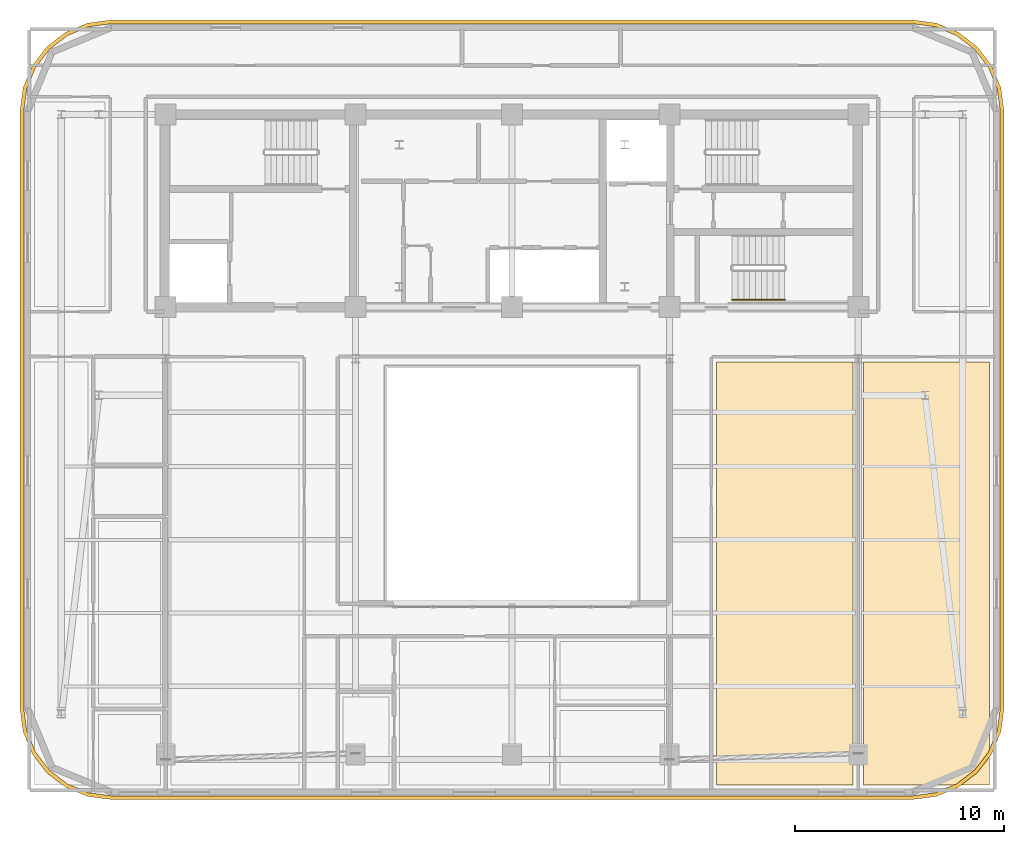
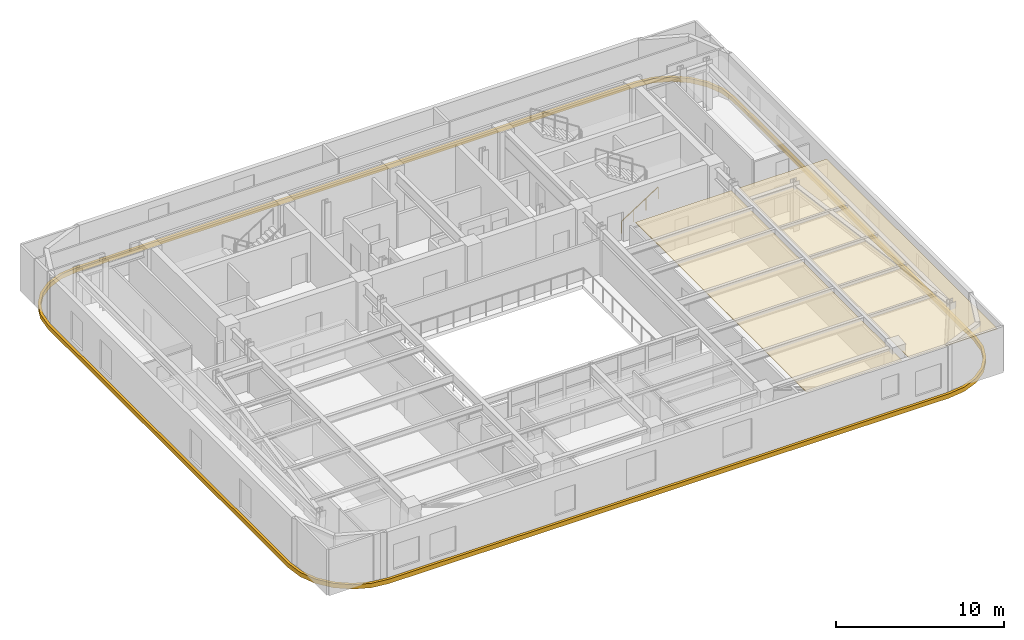
# One storey, part 13 of 14: 3 coverings, 1 railing.
"""IFC4 building model written with IfcOpenShell, lengths in metres."""

from ifc_helpers import new_model, si_unit, direction, frame, origin, origin_2d, place, context, subcontext, project, spatial, polyline, rectangle, outline, extrude, material, layer, layer_set, type_object, element, save


model = new_model("IFC4")

# Units and contexts
model_context = context("Model", 3, precision=1e-05, world=origin(), true_north=direction((0.0, 1.0)))
body_context = subcontext(model_context, "Body", "Model", "MODEL_VIEW")
ifc_project = project(units=[si_unit("LENGTHUNIT", "METRE"), si_unit("AREAUNIT", "SQUARE_METRE"), si_unit("VOLUMEUNIT", "CUBIC_METRE"), si_unit("PLANEANGLEUNIT", "RADIAN"), si_unit("MASSUNIT", "GRAM", prefix="KILO")], contexts=[model_context])

# Site, building, storey
site_placement = place(None, origin())
site = spatial("IfcSite", under=ifc_project, at=site_placement, CompositionType="ELEMENT")
building_placement = place(site_placement, origin())
building = spatial("IfcBuilding", under=site, at=building_placement, Name="Zarnavel Station Tower", CompositionType="ELEMENT")
storey_placement = place(building_placement, frame((0.0, 0.0, 218.39990234375)))
storey = spatial("IfcBuildingStorey", under=building, at=storey_placement, Name="L59", CompositionType="ELEMENT", Elevation=218.39990234375)

# Coverings
ifc_material_1 = material(Name="Perforated Gypsum and Mineral-Wool Acoustic Ceiling", Category="concrete")
ifc_layer = layer(ifc_material_1, 0.0400390625)
ifc_layer_set = layer_set([ifc_layer], Name="COV_CEIL_ACOUSTIC")
covering_type_1 = type_object("IfcCoveringType", Name="COV_CEIL_ACOUSTIC", PredefinedType="CEILING", material=ifc_layer_set)
covering_1_placement = place(storey_placement, frame((0.0, 0.0, 3.02001953125)))
element("IfcCovering", 1, at=covering_1_placement, inside=storey, type_object=covering_type_1, Name="L59 L59SPA Acoustic Ceiling", PredefinedType="CEILING", context=body_context, shape_type="SweptSolid", body=[
    extrude(outline(polyline([(38.60009765625, 4.909912109375), (45.14990234375, 4.909912109375), (45.14990234375, 25.199951171875), (38.60009765625, 25.199951171875), (38.60009765625, 4.909912109375)])), origin(), (0.0, 0.0, 1.0), 0.0400390625),
])
covering_2_placement = place(storey_placement, frame((0.0, 0.0, 3.02001953125)))
element("IfcCovering", 2, at=covering_2_placement, inside=storey, type_object=covering_type_1, Name="L59 L59TEA Acoustic Ceiling", PredefinedType="CEILING", context=body_context, shape_type="SweptSolid", body=[
    extrude(outline(polyline([(45.64990234375, 4.909912109375), (51.68994140625, 4.909912109375), (51.68994140625, 25.199951171875), (45.64990234375, 25.199951171875), (45.64990234375, 4.909912109375)])), origin(), (0.0, 0.0, 1.0), 0.0400390625),
])
ifc_material_2 = material(Name="Precast concrete C45/55 (Pale Travertine Slab Band)", Category="masonry")
covering_type_2 = type_object("IfcCoveringType", Name="COV_TRAVERTINE_BAND", PredefinedType="CLADDING", material=ifc_material_2)
covering_3_placement = place(storey_placement, frame((0.0, 0.0, -0.260009765625)))
element("IfcCovering", 3, at=covering_3_placement, inside=storey, type_object=covering_type_2, Name="L59 Pale Travertine Slab-Edge Band", PredefinedType="CLADDING", context=body_context, shape_type="SweptSolid", body=[
    extrude(outline(polyline([(48.0, 4.219970703125), (49.133544921875, 4.369140625), (50.18994140625, 4.806884765625), (51.09716796875, 5.5029296875), (51.793212890625, 6.409912109375), (52.230712890625, 7.46630859375), (52.3798828125, 8.60009765625), (52.3798828125, 37.199951171875), (52.230712890625, 38.33349609375), (51.793212890625, 39.389892578125), (51.09716796875, 40.297119140625), (50.18994140625, 40.9931640625), (49.133544921875, 41.430908203125), (48.0, 41.580078125), (9.60009765625, 41.580078125), (8.46630859375, 41.430908203125), (7.409912109375, 40.9931640625), (6.5029296875, 40.297119140625), (5.806884765625, 39.389892578125), (5.369140625, 38.33349609375), (5.219970703125, 37.199951171875), (5.219970703125, 8.60009765625), (5.369140625, 7.46630859375), (5.806884765625, 6.409912109375), (6.5029296875, 5.5029296875), (7.409912109375, 4.806884765625), (8.46630859375, 4.369140625), (9.60009765625, 4.219970703125), (48.0, 4.219970703125)]), holes=[polyline([(48.0, 4.39990234375), (49.0869140625, 4.543212890625), (50.10009765625, 4.962646484375), (50.9697265625, 5.630126953125), (51.63720703125, 6.5), (52.056884765625, 7.512939453125), (52.199951171875, 8.60009765625), (52.199951171875, 37.199951171875), (52.056884765625, 38.287109375), (51.63720703125, 39.300048828125), (50.9697265625, 40.169921875), (50.10009765625, 40.83740234375), (49.0869140625, 41.2568359375), (48.0, 41.39990234375), (9.60009765625, 41.39990234375), (8.512939453125, 41.2568359375), (7.5, 40.83740234375), (6.630126953125, 40.169921875), (5.962646484375, 39.300048828125), (5.543212890625, 38.287109375), (5.39990234375, 37.199951171875), (5.39990234375, 8.60009765625), (5.543212890625, 7.512939453125), (5.962646484375, 6.5), (6.630126953125, 5.630126953125), (7.5, 4.962646484375), (8.512939453125, 4.543212890625), (9.60009765625, 4.39990234375), (48.0, 4.39990234375)])]), origin(), (0.0, 0.0, 1.0), 0.320068359375),
])

# Railing
ifc_material_3 = material(Name="Brushed Stainless Steel S355J2 Handrail", Category="steel")
railing_type = type_object("IfcRailingType", Name="HR_STAIR_900", PredefinedType="HANDRAIL", material=ifc_material_3)
railing_placement = place(storey_placement, frame((39.35009765625, 28.169921875, 0.18017578125)))
element("IfcRailing", 4, at=railing_placement, inside=storey, type_object=railing_type, Name="L59 ST3 stair handrail 1", PredefinedType="HANDRAIL", context=body_context, shape_type="SweptSolid", body=[
    extrude(rectangle(XDim=0.048095703125, YDim=0.048095703125, at=origin_2d()), frame((0.001708984375, 0.0, 0.876953125), z_axis=(0.841199657755, 0.0, 0.540724639528), x_axis=(0.0, 1.0, 0.0)), (0.0, 0.0, 1.0), 2.99169921875),
    extrude(rectangle(XDim=0.0419921875, YDim=0.0419921875, at=origin_2d()), origin(), (0.0, 0.0, 1.0), 0.851806640625),
    extrude(rectangle(XDim=0.0419921875, YDim=0.0419921875, at=origin_2d()), frame((0.840087890625, 0.0, 0.5400390625)), (0.0, 0.0, 1.0), 0.851806640625),
    extrude(rectangle(XDim=0.0419921875, YDim=0.0419921875, at=origin_2d()), frame((1.679931640625, 0.0, 1.079833984375)), (0.0, 0.0, 1.0), 0.851806640625),
    extrude(rectangle(XDim=0.0419921875, YDim=0.0419921875, at=origin_2d()), frame((2.52001953125, 0.0, 1.619873046875)), (0.0, 0.0, 1.0), 0.851806640625),
])

save(model, "model.ifc")
